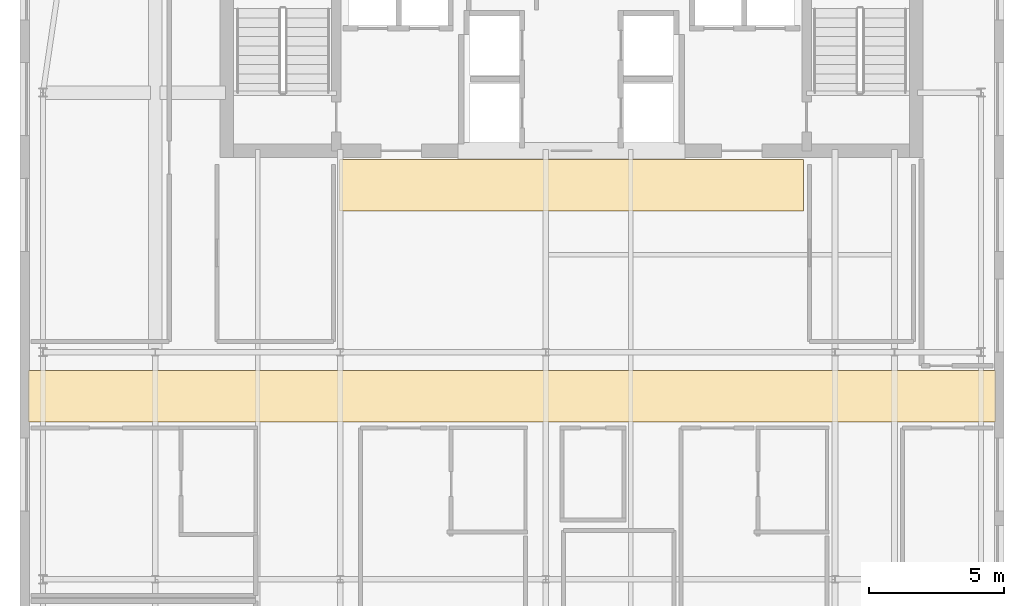
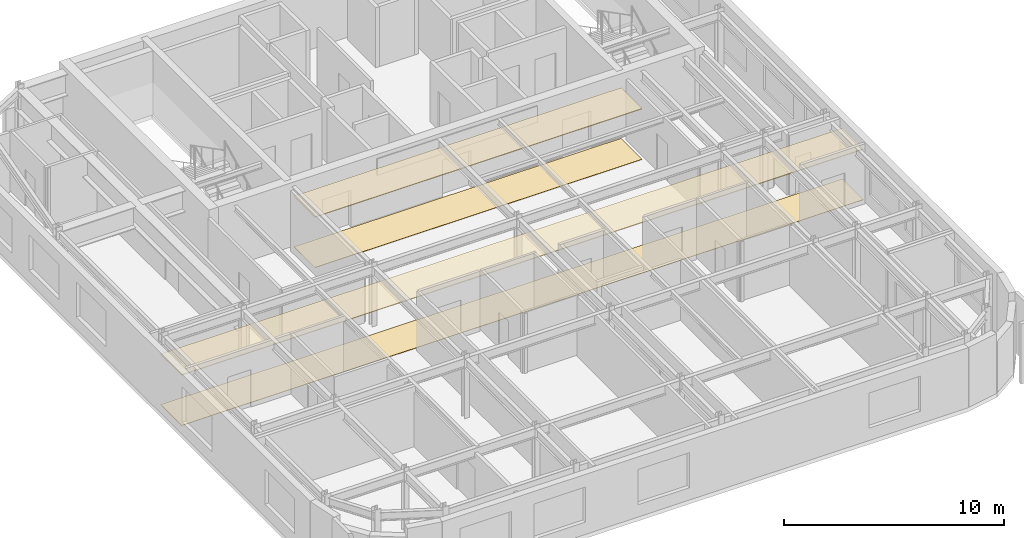
# One storey, part 11 of 12: 4 coverings.
"""IFC4 building model written with IfcOpenShell, lengths in metres."""

from ifc_helpers import new_model, si_unit, direction, frame, origin, place, context, subcontext, project, spatial, polyline, outline, extrude, material, layer, layer_set, type_object, element, save


model = new_model("IFC4")

# Units and contexts
model_context = context("Model", 3, precision=1e-05, world=origin(), true_north=direction((0.0, 1.0)))
body_context = subcontext(model_context, "Body", "Model", "MODEL_VIEW")
ifc_project = project(units=[si_unit("LENGTHUNIT", "METRE"), si_unit("AREAUNIT", "SQUARE_METRE"), si_unit("VOLUMEUNIT", "CUBIC_METRE"), si_unit("PLANEANGLEUNIT", "RADIAN"), si_unit("MASSUNIT", "GRAM", prefix="KILO")], contexts=[model_context])

# Site, building, storey
site_placement = place(None, origin())
site = spatial("IfcSite", under=ifc_project, at=site_placement, CompositionType="ELEMENT")
building_placement = place(site_placement, origin())
building = spatial("IfcBuilding", under=site, at=building_placement, Name="Tolvann Quenvar Hotel", CompositionType="ELEMENT")
storey_placement = place(building_placement, frame((0.0, 0.0, 275.050048828125)))
storey = spatial("IfcBuildingStorey", under=building, at=storey_placement, Name="L73", CompositionType="ELEMENT", Elevation=275.050048828125)

# Coverings
ifc_material_1 = material(Name="Micro-perforated acoustic mineral-fibre and timber-batten suspended ceiling", Category="wood")
ifc_layer_1 = layer(ifc_material_1, 0.0400390625)
ifc_layer_set_1 = layer_set([ifc_layer_1], Name="Micro-perforated acoustic mineral-fibre and timber-batten suspended ceiling")
covering_type_1 = type_object("IfcCoveringType", Name="COV_CEIL_ACOUSTIC_40", PredefinedType="CEILING", material=ifc_layer_set_1)
covering_1_placement = place(storey_placement, frame((0.0, 0.0, 2.7900390625)))
element("IfcCovering", 1, at=covering_1_placement, inside=storey, type_object=covering_type_1, Name="Suspended Acoustic Ceiling (Presidential Gallery Corridor L73)", PredefinedType="CEILING", context=body_context, shape_type="SweptSolid", body=[
    extrude(outline(polyline([(2.919921875, 21.820068359375), (38.679931640625, 21.820068359375), (38.679931640625, 23.72998046875), (2.919921875, 23.72998046875), (2.919921875, 21.820068359375)])), origin(), (0.0, 0.0, 1.0), 0.039794921875),
])
covering_2_placement = place(storey_placement, frame((0.0, 0.0, 2.7900390625)))
element("IfcCovering", 2, at=covering_2_placement, inside=storey, type_object=covering_type_1, Name="Suspended Acoustic Ceiling (Presidential Core Lift Hall L73)", PredefinedType="CEILING", context=body_context, shape_type="SweptSolid", body=[
    extrude(outline(polyline([(14.419921875, 29.6201171875), (31.580078125, 29.6201171875), (31.580078125, 31.530029296875), (14.419921875, 31.530029296875), (14.419921875, 29.6201171875)])), origin(), (0.0, 0.0, 1.0), 0.039794921875),
])
ifc_material_2 = material(Name="Honed Australian bluestone, terrazzo and engineered oak flooring", Category="masonry")
ifc_layer_2 = layer(ifc_material_2, 0.02001953125)
ifc_layer_set_2 = layer_set([ifc_layer_2], Name="Honed Australian bluestone, terrazzo and engineered oak flooring")
covering_type_2 = type_object("IfcCoveringType", Name="COV_FLOOR_STONE_20", PredefinedType="FLOORING", material=ifc_layer_set_2)
covering_3_placement = place(storey_placement, origin())
element("IfcCovering", 3, at=covering_3_placement, inside=storey, type_object=covering_type_2, Name="Architectural Floor Finish (Presidential Gallery Corridor L73)", PredefinedType="FLOORING", context=body_context, shape_type="SweptSolid", body=[
    extrude(outline(polyline([(2.919921875, 21.820068359375), (38.679931640625, 21.820068359375), (38.679931640625, 23.72998046875), (2.919921875, 23.72998046875), (2.919921875, 21.820068359375)])), origin(), (0.0, 0.0, 1.0), 0.02001953125),
])
covering_4_placement = place(storey_placement, origin())
element("IfcCovering", 4, at=covering_4_placement, inside=storey, type_object=covering_type_2, Name="Architectural Floor Finish (Presidential Core Lift Hall L73)", PredefinedType="FLOORING", context=body_context, shape_type="SweptSolid", body=[
    extrude(outline(polyline([(14.419921875, 29.6201171875), (31.580078125, 29.6201171875), (31.580078125, 31.530029296875), (14.419921875, 31.530029296875), (14.419921875, 29.6201171875)])), origin(), (0.0, 0.0, 1.0), 0.02001953125),
])

save(model, "model.ifc")
